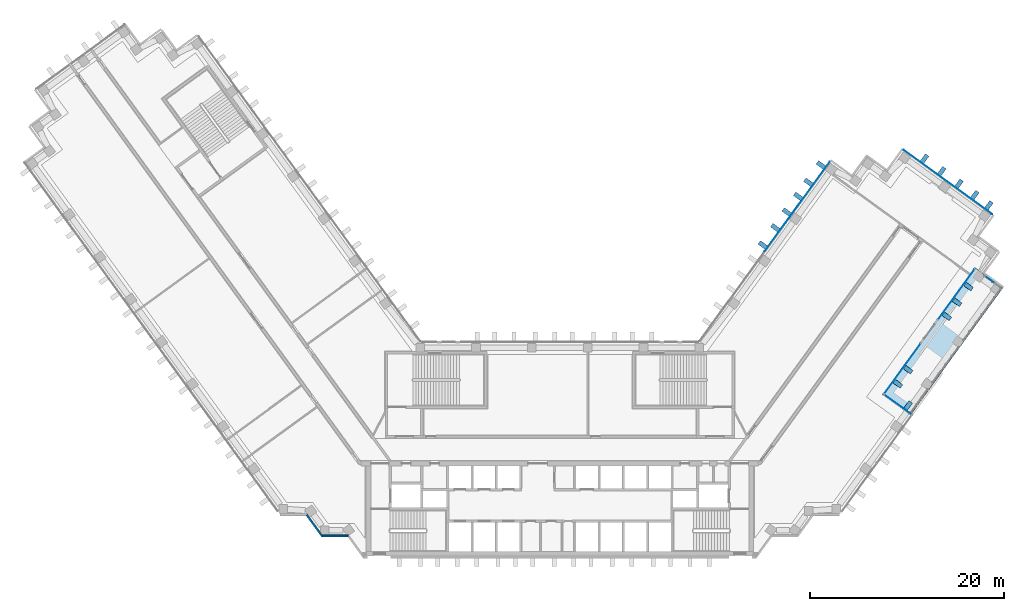
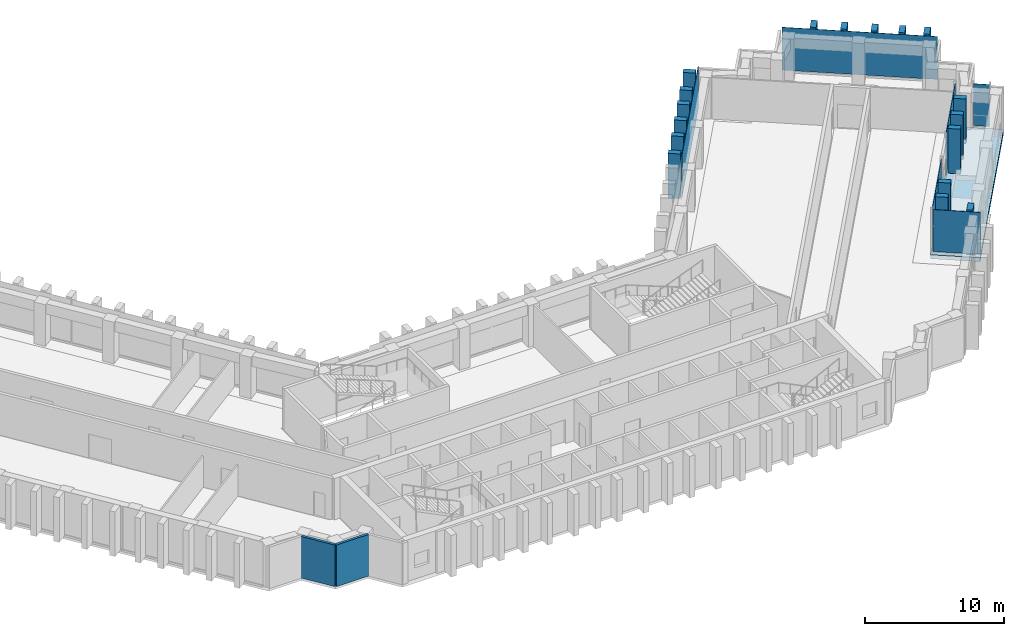
"""IFC4 building model written with IfcOpenShell, lengths in metres."""

from ifc_helpers import new_model, si_unit, direction, frame, frame_2d, origin, origin_2d, place, context, subcontext, project, spatial, polyline, rectangle, outline, extrude, material, layer, layer_set, type_object, element, aggregate, save


model = new_model("IFC4")

# Units and contexts
model_context = context("Model", 3, precision=1e-05, world=origin(), true_north=direction((0.0, 1.0)))
body_context = subcontext(model_context, "Body", "Model", "MODEL_VIEW")
ifc_project = project(units=[si_unit("LENGTHUNIT", "METRE"), si_unit("AREAUNIT", "SQUARE_METRE"), si_unit("VOLUMEUNIT", "CUBIC_METRE"), si_unit("PLANEANGLEUNIT", "RADIAN"), si_unit("MASSUNIT", "GRAM", prefix="KILO")], contexts=[model_context])

# Site, building, storey
site_placement = place(None, origin())
site = spatial("IfcSite", under=ifc_project, at=site_placement, CompositionType="ELEMENT")
building_placement = place(site_placement, origin())
building = spatial("IfcBuilding", under=site, at=building_placement, Name="Quipu Civic Tower", CompositionType="ELEMENT")
storey_1_placement = place(building_placement, frame((0.0, 0.0, 89.0)))
storey_1 = spatial("IfcBuildingStorey", under=building, at=storey_1_placement, Name="L20", CompositionType="ELEMENT", Elevation=89.0)

# Curtain wall
ifc_material_1 = material(Name="Insulated glass unit", Category="glass")
curtain_wall_type = type_object("IfcCurtainWallType", Name="Office curtain wall CW1", PredefinedType="NOTDEFINED", material=ifc_material_1)
curtain_wall_1_placement = place(storey_1_placement, origin())
curtain_wall_1 = element("IfcCurtainWall", 1, at=curtain_wall_1_placement, inside=storey_1, type_object=curtain_wall_type, Name="Office curtain wall CW1 L19 run 6", PredefinedType="NOTDEFINED")

# Storey
storey_2_placement = place(building_placement, frame((0.0, 0.0, 93.0)))
storey_2 = spatial("IfcBuildingStorey", under=building, at=storey_2_placement, Name="L21", CompositionType="ELEMENT", Elevation=93.0)

# Plate
ifc_material_2 = material(Name="Insulated glass unit", Category="glass")
ifc_layer_1 = layer(ifc_material_2, 0.028076171875)
ifc_layer_set_1 = layer_set([ifc_layer_1], Name="Insulated glass unit")
plate_type_1 = type_object("IfcPlateType", Name="Glass panel CW1", PredefinedType="CURTAIN_PANEL", material=ifc_layer_set_1)
plate_1_placement = place(storey_2_placement, frame((40.04345703125, 27.58740234375, 0.16015625), z_axis=(0.0, 0.0, 1.0), x_axis=(-0.809015176832, 0.587787753918, 0.0)))
plate_1 = element("IfcPlate", 2, at=plate_1_placement, inside=storey_2, type_object=plate_type_1, Name="CW1 panel 1.3", PredefinedType="CURTAIN_PANEL", context=body_context, shape_type="SweptSolid", body=[
    extrude(rectangle(XDim=11.239990234375, YDim=0.028076171875, at=origin_2d()), origin(), (0.0, 0.0, 1.0), 3.760009765625),
])

aggregate(curtain_wall_1, [plate_1])

# Curtain wall, plate
curtain_wall_2_placement = place(storey_1_placement, origin())
curtain_wall_2 = element("IfcCurtainWall", 3, at=curtain_wall_2_placement, inside=storey_1, type_object=curtain_wall_type, Name="Office curtain wall CW1 L19 run 11", PredefinedType="NOTDEFINED")
plate_2_placement = place(storey_2_placement, frame((24.491455078125, 25.066162109375, 0.16015625), z_axis=(0.0, 0.0, 1.0), x_axis=(-0.587788727052, -0.809014469803, 0.0)))
plate_2 = element("IfcPlate", 4, at=plate_2_placement, inside=storey_2, type_object=plate_type_1, Name="CW1 panel 1.3", PredefinedType="CURTAIN_PANEL", context=body_context, shape_type="SweptSolid", body=[
    extrude(rectangle(XDim=11.402099609375, YDim=0.028076171875, at=origin_2d()), origin(), (0.0, 0.0, 1.0), 3.760009765625),
])
aggregate(curtain_wall_2, [plate_2])

curtain_wall_3_placement = place(storey_2_placement, origin())
curtain_wall_3 = element("IfcCurtainWall", 5, at=curtain_wall_3_placement, inside=storey_2, type_object=curtain_wall_type, Name="Office curtain wall CW1 L21 run 2", PredefinedType="NOTDEFINED")
plate_3_placement = place(storey_2_placement, frame((34.87109375, 4.646240234375, 0.240234375), z_axis=(0.0, 0.0, 1.0), x_axis=(-0.809014677257, 0.587788441518, 0.0)))
plate_3 = element("IfcPlate", 6, at=plate_3_placement, type_object=plate_type_1, Name="CW1 panel 1.1", PredefinedType="CURTAIN_PANEL", context=body_context, shape_type="SweptSolid", body=[
    extrude(rectangle(XDim=3.43994140625, YDim=0.028076171875, at=origin_2d()), origin(), (0.0, 0.0, 1.0), 3.679931640625),
])
aggregate(curtain_wall_3, [plate_3])

curtain_wall_4_placement = place(storey_2_placement, origin())
curtain_wall_4 = element("IfcCurtainWall", 7, at=curtain_wall_4_placement, inside=storey_2, type_object=curtain_wall_type, Name="Office curtain wall CW1 L21 run 3", PredefinedType="NOTDEFINED")
plate_4_placement = place(storey_2_placement, frame((35.33056640625, 8.341064453125, 0.240234375), z_axis=(0.0, 0.0, 1.0), x_axis=(0.587777549221, 0.809022590928, 0.0)))
plate_4 = element("IfcPlate", 8, at=plate_4_placement, type_object=plate_type_1, Name="CW1 panel 1.1", PredefinedType="CURTAIN_PANEL", context=body_context, shape_type="SweptSolid", body=[
    extrude(rectangle(XDim=6.358154296875, YDim=0.028076171875, at=origin_2d()), origin(), (0.0, 0.0, 1.0), 3.679931640625),
])
aggregate(curtain_wall_4, [plate_4])

curtain_wall_5_placement = place(storey_2_placement, origin())
curtain_wall_5 = element("IfcCurtainWall", 9, at=curtain_wall_5_placement, inside=storey_2, type_object=curtain_wall_type, Name="Office curtain wall CW1 L21 run 5", PredefinedType="NOTDEFINED")
plate_5_placement = place(storey_2_placement, frame((40.903564453125, 16.01171875, 0.240234375), z_axis=(0.0, 0.0, 1.0), x_axis=(0.587783983369, 0.8090179163, 0.0)))
plate_5 = element("IfcPlate", 10, at=plate_5_placement, type_object=plate_type_1, Name="CW1 panel 1.1", PredefinedType="CURTAIN_PANEL", context=body_context, shape_type="SweptSolid", body=[
    extrude(rectangle(XDim=6.35888671875, YDim=0.028076171875, at=origin_2d()), origin(), (0.0, 0.0, 1.0), 3.679931640625),
])
aggregate(curtain_wall_5, [plate_5])

curtain_wall_6_placement = place(storey_2_placement, origin())
curtain_wall_6 = element("IfcCurtainWall", 11, at=curtain_wall_6_placement, inside=storey_2, type_object=curtain_wall_type, Name="Office curtain wall CW1 L21 run 7", PredefinedType="NOTDEFINED")
plate_6_placement = place(storey_2_placement, frame((44.3564453125, 17.531982421875, 0.240234375), z_axis=(0.0, 0.0, 1.0), x_axis=(0.808998739108, -0.587810377692, 0.0)))
plate_6 = element("IfcPlate", 12, at=plate_6_placement, type_object=plate_type_1, Name="CW1 panel 1.1", PredefinedType="CURTAIN_PANEL", context=body_context, shape_type="SweptSolid", body=[
    extrude(rectangle(XDim=1.14013671875, YDim=0.028076171875, at=origin_2d()), origin(), (0.0, 0.0, 1.0), 3.679931640625),
])
aggregate(curtain_wall_6, [plate_6])

# Plates
ifc_material_3 = material(Name="Precast concrete C40/50", Category="concrete")
plate_type_2 = type_object("IfcPlateType", Name="Precast fin F1", PredefinedType="SHEET", material=ifc_material_3)
for number, where, z_axis, x_axis, name in (
    (13, (44.270263671875, 25.1962890625, 0.080078125), (0.0, 0.0, 1.0), (-0.809017072762, 0.587785144401, 0.0), "Precast fin F1 L21.P02.1"),
    (14, (42.81396484375, 26.25439453125, 0.080078125), (0.0, 0.0, 1.0), (-0.809017072762, 0.587785144401, 0.0), "Precast fin F1 L21.P02.2"),
    (15, (41.196044921875, 27.429931640625, 0.080078125), (0.0, 0.0, 1.0), (-0.809017072762, 0.587785144401, 0.0), "Precast fin F1 L21.P02.3"),
    (16, (39.416259765625, 28.72314453125, 0.080078125), (0.0, 0.0, 1.0), (-0.809017072762, 0.587785144401, 0.0), "Precast fin F1 L21.P02.4"),
    (17, (37.63623046875, 30.01611328125, 0.080078125), (0.0, 0.0, 1.0), (-0.809017072762, 0.587785144401, 0.0), "Precast fin F1 L21.P02.5"),
    (18, (26.93017578125, 29.358642578125, 0.080078125), (0.0, 0.0, 1.0), (-0.587787133119, -0.809015627871, 0.0), "Precast fin F1 L21.P07.1"),
    (19, (25.636962890625, 27.578857421875, 0.080078125), (0.0, 0.0, 1.0), (-0.587787133119, -0.809015627871, 0.0), "Precast fin F1 L21.P07.2"),
    (20, (24.578857421875, 26.12255859375, 0.080078125), (0.0, 0.0, 1.0), (-0.587787133119, -0.809015627871, 0.0), "Precast fin F1 L21.P07.3"),
    (21, (23.4033203125, 24.50439453125, 0.080078125), (0.0, 0.0, 1.0), (-0.587787133119, -0.809015627871, 0.0), "Precast fin F1 L21.P07.4"),
    (22, (22.227783203125, 22.886474609375, 0.080078125), (0.0, 0.0, 1.0), (-0.587787133119, -0.809015627871, 0.0), "Precast fin F1 L21.P07.5"),
    (23, (20.9345703125, 21.106689453125, 0.080078125), (0.0, 0.0, 1.0), (-0.587787133119, -0.809015627871, 0.0), "Precast fin F1 L21.P07.6"),
    (24, (35.94287109375, 4.547607421875, 0.080078125), (0.0, 0.0, 1.0), (-0.809014677257, 0.587788441518, 0.0), "Precast fin F1 L21.2.1"),
    (25, (34.873779296875, 6.776611328125, 0.080078125), (0.0, 0.0, 1.0), (0.587783675566, 0.809018139931, 0.0), "Precast fin F1 L21.3.1"),
    (26, (35.931884765625, 8.23291015625, 0.080078125), (0.0, 0.0, 1.0), (0.587783675566, 0.809018139931, 0.0), "Precast fin F1 L21.3.2"),
    (27, (39.928466796875, 13.73388671875, 0.080078125), (0.0, 0.0, 1.0), (0.587783675566, 0.809018139931, 0.0), "Precast fin F1 L21.5.1"),
    (28, (40.986572265625, 15.18994140625, 0.080078125), (0.0, 0.0, 1.0), (0.587783675566, 0.809018139931, 0.0), "Precast fin F1 L21.5.2"),
    (29, (42.162109375, 16.80810546875, 0.080078125), (0.0, 0.0, 1.0), (0.587783675566, 0.809018139931, 0.0), "Precast fin F1 L21.5.3"),
):
    element("IfcPlate", number, at=place(storey_2_placement, frame(where, z_axis=z_axis, x_axis=x_axis)), inside=storey_2, type_object=plate_type_2, Name=name, PredefinedType="SHEET", context=body_context, shape_type="SweptSolid", body=[
        extrude(rectangle(XDim=0.449951171875, YDim=0.89990234375, at=origin_2d()), origin(), (0.0, 0.0, 1.0), 3.919921875),
    ])

# Slab
ifc_material_4 = material(Name="Concrete C40/50", Category="concrete")
ifc_layer_2 = layer(ifc_material_4, 0.35009765625)
ifc_layer_set_2 = layer_set([ifc_layer_2], Name="Concrete C40/50")
slab_type = type_object("IfcSlabType", Name="Terrace slab 350 C40/50", PredefinedType="FLOOR", material=ifc_layer_set_2)
slab_placement = place(storey_2_placement, frame((0.0, 0.0, -0.35009765625)))
element("IfcSlab", 30, at=slab_placement, inside=storey_2, type_object=slab_type, Name="Terrace slab L21", PredefinedType="FLOOR", context=body_context, shape_type="SweptSolid", body=[
    extrude(outline(polyline([(45.7099609375, 16.669921875), (36.18994140625, 3.56494140625), (33.27490234375, 5.679931640625), (42.794921875, 18.7900390625), (45.7099609375, 16.669921875)])), origin(), (0.0, 0.0, 1.0), 0.35009765625),
])

# Walls
ifc_material_5 = material(Name="Precast concrete C40/50", Category="concrete")
wall_type = type_object("IfcWallType", Name="Precast cladding wall", PredefinedType="SOLIDWALL", material=ifc_material_5)
wall_1_placement = place(storey_2_placement, frame((-26.1201171875, -6.72412109375, 0.0), z_axis=(0.0, 0.0, 1.0), x_axis=(0.587720002413, -0.809064397168, 0.0)))
element("IfcWall", 31, at=wall_1_placement, inside=storey_2, type_object=wall_type, Name="Precast cladding wall L21 P25", PredefinedType="SOLIDWALL", context=body_context, shape_type="SweptSolid", body=[
    extrude(rectangle(XDim=2.7001953125, YDim=0.199951171875, at=frame_2d((1.35009765625, 0.0))), origin(), (0.0, 0.0, 1.0), 3.64990234375),
])
wall_2_placement = place(storey_2_placement, frame((-24.542724609375, -8.90380859375, 0.0), z_axis=(0.0, 0.0, 1.0), x_axis=(1.0, 0.0, 0.0)))
element("IfcWall", 32, at=wall_2_placement, inside=storey_2, type_object=wall_type, Name="Precast cladding wall L21 P26", PredefinedType="SOLIDWALL", context=body_context, shape_type="SweptSolid", body=[
    extrude(rectangle(XDim=2.699951171875, YDim=0.199951171875, at=frame_2d((1.35009765625, 0.0))), origin(), (0.0, 0.0, 1.0), 3.64990234375),
])

save(model, "model.ifc")
